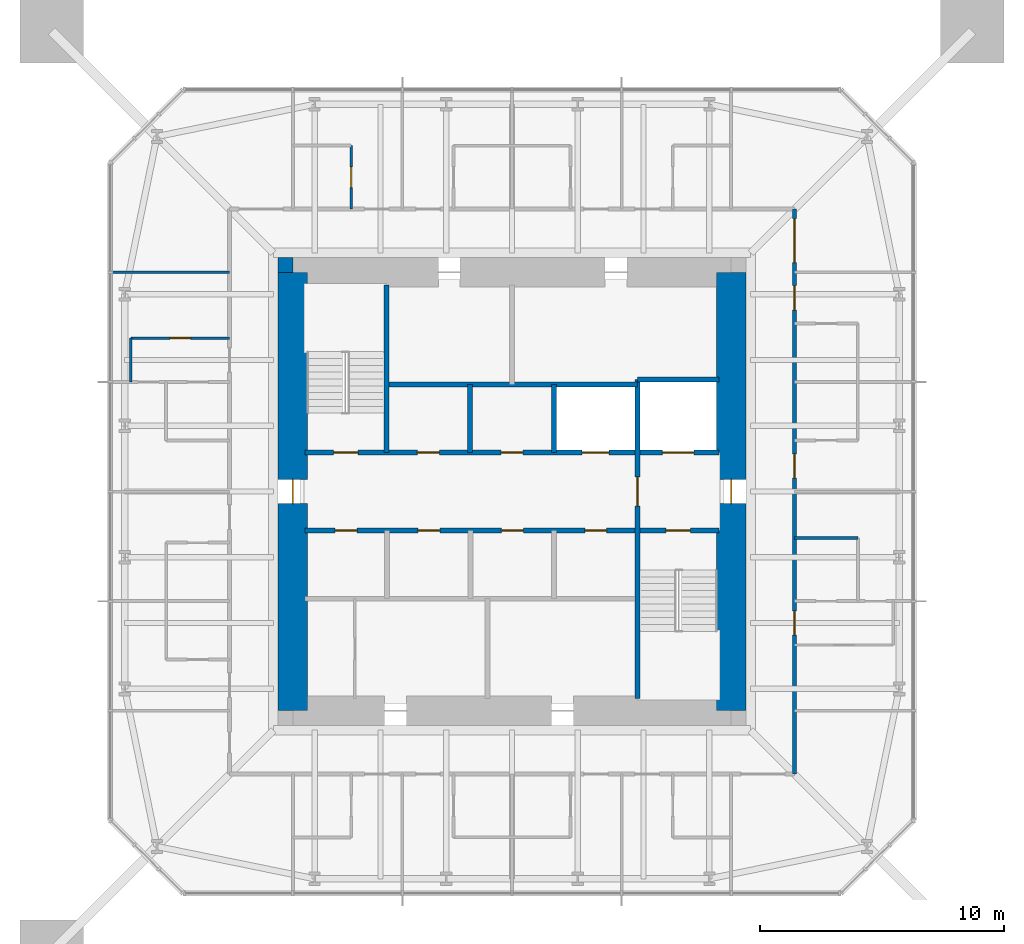
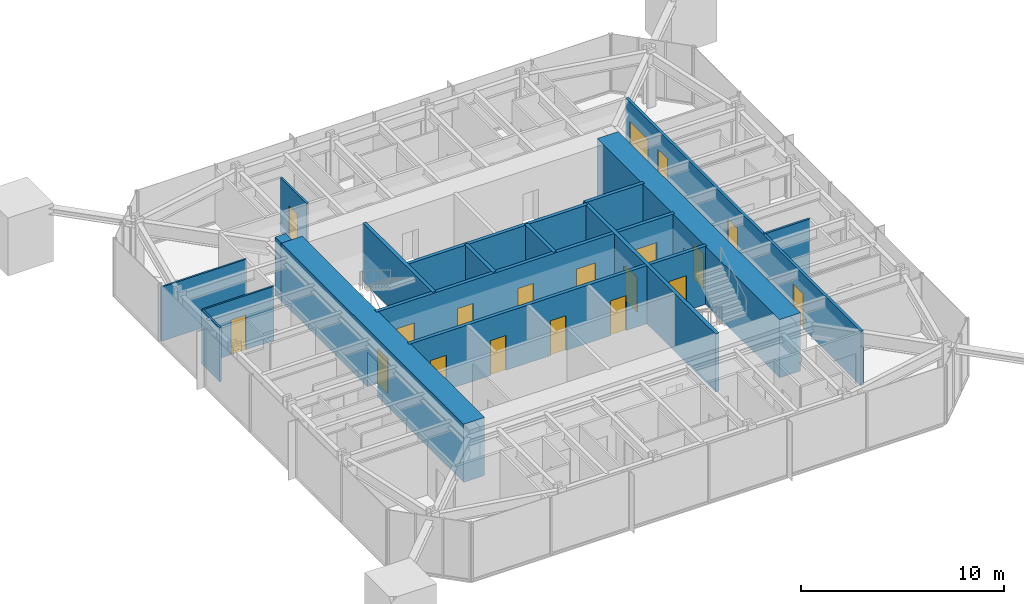
# One storey, part 7 of 10: 19 doors, 17 walls, 19 openings.
"""IFC4 building model written with IfcOpenShell, lengths in metres."""

from ifc_helpers import new_model, si_unit, direction, frame, frame_2d, origin, place, context, subcontext, project, spatial, rectangle, extrude, material, layer, layer_set, type_object, element, fill, save


model = new_model("IFC4")

# Units and contexts
model_context = context("Model", 3, precision=1e-05, world=origin(), true_north=direction((0.0, 1.0)))
body_context = subcontext(model_context, "Body", "Model", "MODEL_VIEW")
ifc_project = project(units=[si_unit("LENGTHUNIT", "METRE"), si_unit("AREAUNIT", "SQUARE_METRE"), si_unit("VOLUMEUNIT", "CUBIC_METRE"), si_unit("PLANEANGLEUNIT", "RADIAN"), si_unit("MASSUNIT", "GRAM", prefix="KILO")], contexts=[model_context])

# Site, building, storey
site_placement = place(None, origin())
site = spatial("IfcSite", under=ifc_project, at=site_placement, CompositionType="ELEMENT")
building_placement = place(site_placement, origin())
building = spatial("IfcBuilding", under=site, at=building_placement, Name="Iwan Alto Co-Living Towers", CompositionType="ELEMENT")
storey_placement = place(building_placement, frame((0.0, 0.0, 225.5)))
storey = spatial("IfcBuildingStorey", under=building, at=storey_placement, Name="L61", CompositionType="ELEMENT", Elevation=225.5)

# Wall, openings, doors
ifc_material_1 = material(Name="Gypsum board")
ifc_layer_1 = layer(ifc_material_1, 0.02490234375, Name="Board", Category="Finish")
ifc_material_2 = material(Name="Steel ASTM A1003 ST33H cold-formed studs", Category="steel")
ifc_layer_2 = layer(ifc_material_2, 0.10009765625, Name="Studs", Category="Framing")
ifc_layer_3 = layer(ifc_material_1, 0.02490234375, Name="Board", Category="Finish")
ifc_layer_set_1 = layer_set([ifc_layer_1, ifc_layer_2, ifc_layer_3], Name="CORRIDOR WALL 150")
wall_type_1 = type_object("IfcWallType", Name="CORRIDOR WALL 150", PredefinedType="PARTITIONING", material=ifc_layer_set_1)
wall_1_placement = place(storey_placement, frame((11.60009765625, -11.60009765625, 0.0), z_axis=(0.0, 0.0, 1.0), x_axis=(0.0, 1.0, 0.0)))
wall_1 = element("IfcWall", 1, at=wall_1_placement, inside=storey, type_object=wall_type_1, Name="Partition L61", PredefinedType="PARTITIONING", context=body_context, shape_type="SweptSolid", body=[
    extrude(rectangle(XDim=23.2001953125, YDim=0.14990234375, at=frame_2d((11.60009765625, 0.0))), origin(), (0.0, 0.0, 1.0), 3.27001953125),
])
opening_1_placement = place(wall_1_placement, frame((5.699951171875, 0.0, 0.0)))
opening_1 = element("IfcOpeningElement", 2, at=opening_1_placement, cuts=wall_1, Name="Opening D3", PredefinedType="OPENING", context=body_context, shape_type="SweptSolid", body=[
    extrude(rectangle(XDim=1.0, YDim=2.10009765625, at=frame_2d((0.5, 1.050048828125))), frame((0.0, 0.0849609375, 0.0), z_axis=(0.0, -1.0, 0.0), x_axis=(1.0, 0.0, 0.0)), (0.0, 0.0, 1.0), 0.169921875),
])
opening_2_placement = place(wall_1_placement, frame((12.14990234375, 0.0, 0.0)))
opening_2 = element("IfcOpeningElement", 3, at=opening_2_placement, cuts=wall_1, Name="Opening D3", PredefinedType="OPENING", context=body_context, shape_type="SweptSolid", body=[
    extrude(rectangle(XDim=1.0, YDim=2.10009765625, at=frame_2d((0.5, 1.050048828125))), frame((0.0, 0.0849609375, 0.0), z_axis=(0.0, -1.0, 0.0), x_axis=(1.0, 0.0, 0.0)), (0.0, 0.0, 1.0), 0.169921875),
])
opening_3_placement = place(wall_1_placement, frame((19.050048828125, 0.0, 0.0)))
opening_3 = element("IfcOpeningElement", 4, at=opening_3_placement, cuts=wall_1, Name="Opening D3", PredefinedType="OPENING", context=body_context, shape_type="SweptSolid", body=[
    extrude(rectangle(XDim=1.0, YDim=2.10009765625, at=frame_2d((0.5, 1.050048828125))), frame((0.0, 0.0849609375, 0.0), z_axis=(0.0, -1.0, 0.0), x_axis=(1.0, 0.0, 0.0)), (0.0, 0.0, 1.0), 0.169921875),
])
opening_4_placement = place(wall_1_placement, frame((21.0, 0.0, 0.0)))
opening_4 = element("IfcOpeningElement", 5, at=opening_4_placement, cuts=wall_1, Name="Opening D9", PredefinedType="OPENING", context=body_context, shape_type="SweptSolid", body=[
    extrude(rectangle(XDim=1.800048828125, YDim=2.10009765625, at=frame_2d((0.89990234375, 1.050048828125))), frame((0.0, 0.0849609375, 0.0), z_axis=(0.0, -1.0, 0.0), x_axis=(1.0, 0.0, 0.0)), (0.0, 0.0, 1.0), 0.169921875),
])
ifc_material_3 = material(Name="Steel frame with timber leaf", Category="steel")
door_type_1 = type_object("IfcDoorType", Name="FLAT ENTRANCE DOOR FD30S 1000X2100", OperationType="SINGLE_SWING_LEFT", PredefinedType="DOOR", material=ifc_material_3)
door_1_placement = place(opening_1_placement, frame((1.0, 0.0, 0.0), z_axis=(0.0, 0.0, 1.0), x_axis=(-1.0, 0.0, 0.0)))
door_1 = element("IfcDoor", 6, at=door_1_placement, inside=storey, type_object=door_type_1, Name="Apartment foyer door L61", OperationType="SINGLE_SWING_RIGHT", OverallHeight=2.10009765625, OverallWidth=1.0, PredefinedType="DOOR", context=body_context, shape_type="SweptSolid", body=[
    extrude(rectangle(XDim=1.0, YDim=2.10009765625, at=frame_2d((0.5, 1.050048828125))), frame((0.0, 0.02490234375, 0.0), z_axis=(0.0, -1.0, 0.0), x_axis=(1.0, 0.0, 0.0)), (0.0, 0.0, 1.0), 0.050048828125),
])
fill(opening_1, door_1)
door_2_placement = place(opening_2_placement, frame((1.0, 0.0, 0.0), z_axis=(0.0, 0.0, 1.0), x_axis=(-1.0, 0.0, 0.0)))
door_2 = element("IfcDoor", 7, at=door_2_placement, inside=storey, type_object=door_type_1, Name="Studio door L61", OperationType="SINGLE_SWING_RIGHT", OverallHeight=2.10009765625, OverallWidth=1.0, PredefinedType="DOOR", context=body_context, shape_type="SweptSolid", body=[
    extrude(rectangle(XDim=1.0, YDim=2.10009765625, at=frame_2d((0.5, 1.050048828125))), frame((0.0, 0.02490234375, 0.0), z_axis=(0.0, -1.0, 0.0), x_axis=(1.0, 0.0, 0.0)), (0.0, 0.0, 1.0), 0.050048828125),
])
fill(opening_2, door_2)
door_3_placement = place(opening_3_placement, frame((1.0, 0.0, 0.0), z_axis=(0.0, 0.0, 1.0), x_axis=(-1.0, 0.0, 0.0)))
door_3 = element("IfcDoor", 8, at=door_3_placement, inside=storey, type_object=door_type_1, Name="Studio door L61", OperationType="SINGLE_SWING_RIGHT", OverallHeight=2.10009765625, OverallWidth=1.0, PredefinedType="DOOR", context=body_context, shape_type="SweptSolid", body=[
    extrude(rectangle(XDim=1.0, YDim=2.10009765625, at=frame_2d((0.5, 1.050048828125))), frame((0.0, 0.02490234375, 0.0), z_axis=(0.0, -1.0, 0.0), x_axis=(1.0, 0.0, 0.0)), (0.0, 0.0, 1.0), 0.050048828125),
])
fill(opening_3, door_3)
ifc_material_4 = material(Name="Steel frame with timber leaf", Category="steel")
door_type_2 = type_object("IfcDoorType", Name="LOUNGE DOOR FD30S 1800X2100", OperationType="DOUBLE_DOOR_SINGLE_SWING", PredefinedType="DOOR", material=ifc_material_4)
door_4_placement = place(opening_4_placement, frame((1.800048828125, 0.0, 0.0), z_axis=(0.0, 0.0, 1.0), x_axis=(-1.0, 0.0, 0.0)))
door_4 = element("IfcDoor", 9, at=door_4_placement, inside=storey, type_object=door_type_2, Name="Study lounge door L61", OperationType="DOUBLE_DOOR_SINGLE_SWING", OverallHeight=2.10009765625, OverallWidth=1.800048828125, PredefinedType="DOOR", context=body_context, shape_type="SweptSolid", body=[
    extrude(rectangle(XDim=1.800048828125, YDim=2.10009765625, at=frame_2d((0.89990234375, 1.050048828125))), frame((0.0, 0.02490234375, 0.0), z_axis=(0.0, -1.0, 0.0), x_axis=(1.0, 0.0, 0.0)), (0.0, 0.0, 1.0), 0.050048828125),
])
fill(opening_4, door_4)

# Wall, opening, door
ifc_layer_4 = layer(ifc_material_1, 0.012451171875, Name="Board", Category="Finish")
ifc_layer_5 = layer(ifc_material_2, 0.074951171875, Name="Studs", Category="Framing")
ifc_layer_6 = layer(ifc_material_1, 0.012451171875, Name="Board", Category="Finish")
ifc_layer_set_2 = layer_set([ifc_layer_4, ifc_layer_5, ifc_layer_6], Name="PARTITION 100")
wall_type_2 = type_object("IfcWallType", Name="PARTITION 100", PredefinedType="PARTITIONING", material=ifc_layer_set_2)
wall_2_placement = place(storey_placement, frame((-15.64990234375, 6.300048828125, 0.0), z_axis=(0.0, 0.0, 1.0), x_axis=(1.0, 0.0, 0.0)))
wall_2 = element("IfcWall", 10, at=wall_2_placement, inside=storey, type_object=wall_type_2, Name="Partition L61", PredefinedType="PARTITIONING", context=body_context, shape_type="SweptSolid", body=[
    extrude(rectangle(XDim=4.0498046875, YDim=0.10009765625, at=frame_2d((2.02490234375, 0.0))), origin(), (0.0, 0.0, 1.0), 3.27001953125),
])
opening_5_placement = place(wall_2_placement, frame((1.60009765625, 0.0, 0.0)))
opening_5 = element("IfcOpeningElement", 11, at=opening_5_placement, cuts=wall_2, Name="Opening D2", PredefinedType="OPENING", context=body_context, shape_type="SweptSolid", body=[
    extrude(rectangle(XDim=0.85009765625, YDim=2.10009765625, at=frame_2d((0.425048828125, 1.050048828125))), frame((0.0, 0.06005859375, 0.0), z_axis=(0.0, -1.0, 0.0), x_axis=(1.0, 0.0, 0.0)), (0.0, 0.0, 1.0), 0.1201171875),
])
ifc_material_5 = material(Name="Timber leaf in steel frame", Category="steel")
door_type_3 = type_object("IfcDoorType", Name="ROOM DOOR 850X2100", OperationType="SINGLE_SWING_LEFT", PredefinedType="DOOR", material=ifc_material_5)
door_5_placement = place(opening_5_placement, origin())
door_5 = element("IfcDoor", 12, at=door_5_placement, inside=storey, type_object=door_type_3, Name="Apartment foyer door L61", OperationType="SINGLE_SWING_RIGHT", OverallHeight=2.10009765625, OverallWidth=0.85009765625, PredefinedType="DOOR", context=body_context, shape_type="SweptSolid", body=[
    extrude(rectangle(XDim=0.85009765625, YDim=2.10009765625, at=frame_2d((0.425048828125, 1.050048828125))), frame((0.0, 0.02490234375, 0.0), z_axis=(0.0, -1.0, 0.0), x_axis=(1.0, 0.0, 0.0)), (0.0, 0.0, 1.0), 0.050048828125),
])
fill(opening_5, door_5)

# Walls
wall_3_placement = place(storey_placement, frame((-16.43994140625, 9.0, 0.0), z_axis=(0.0, 0.0, 1.0), x_axis=(1.0, 0.0, 0.0)))
element("IfcWall", 13, at=wall_3_placement, inside=storey, type_object=wall_type_2, Name="Partition L61", PredefinedType="PARTITIONING", context=body_context, shape_type="SweptSolid", body=[
    extrude(rectangle(XDim=4.83984375, YDim=0.10009765625, at=frame_2d((2.419921875, 0.0))), origin(), (0.0, 0.0, 1.0), 3.27001953125),
])
wall_4_placement = place(storey_placement, frame((-15.64990234375, 4.5, 0.0), z_axis=(0.0, 0.0, 1.0), x_axis=(0.0, 1.0, 0.0)))
element("IfcWall", 14, at=wall_4_placement, inside=storey, type_object=wall_type_2, Name="Partition L61", PredefinedType="PARTITIONING", context=body_context, shape_type="SweptSolid", body=[
    extrude(rectangle(XDim=1.800048828125, YDim=0.10009765625, at=frame_2d((0.89990234375, 0.0))), origin(), (0.0, 0.0, 1.0), 3.27001953125),
])

# Wall, openings, doors
ifc_material_6 = material(Name="Concrete f'c 70 MPa", Category="concrete")
ifc_layer_7 = layer(ifc_material_6, 0.199951171875)
ifc_layer_set_3 = layer_set([ifc_layer_7], Name="SHAFT WALL 200")
wall_type_3 = type_object("IfcWallType", Name="SHAFT WALL 200", PredefinedType="SOLIDWALL", material=ifc_layer_set_3)
wall_5_placement = place(storey_placement, frame((-8.489990234375, -1.60009765625, 0.0), z_axis=(0.0, 0.0, 1.0), x_axis=(1.0, 0.0, 0.0)))
wall_5 = element("IfcWall", 15, at=wall_5_placement, inside=storey, type_object=wall_type_3, Name="Shaft wall L61", PredefinedType="SOLIDWALL", context=body_context, shape_type="SweptSolid", body=[
    extrude(rectangle(XDim=16.97998046875, YDim=0.199951171875, at=frame_2d((8.489990234375, 0.0))), origin(), (0.0, 0.0, 1.0), 3.5),
])
opening_6_placement = place(wall_5_placement, frame((14.81005859375, 0.0, 0.0)))
opening_6 = element("IfcOpeningElement", 16, at=opening_6_placement, cuts=wall_5, Name="Opening D5", PredefinedType="OPENING", context=body_context, shape_type="SweptSolid", body=[
    extrude(rectangle(XDim=1.0, YDim=2.10009765625, at=frame_2d((0.5, 1.050048828125))), frame((0.0, 0.10986328125, 0.0), z_axis=(0.0, -1.0, 0.0), x_axis=(1.0, 0.0, 0.0)), (0.0, 0.0, 1.0), 0.219970703125),
])
opening_7_placement = place(wall_5_placement, frame((1.23193359375, 0.0, 0.0)))
opening_7 = element("IfcOpeningElement", 17, at=opening_7_placement, cuts=wall_5, Name="Opening D15", PredefinedType="OPENING", context=body_context, shape_type="SweptSolid", body=[
    extrude(rectangle(XDim=0.89990234375, YDim=2.10009765625, at=frame_2d((0.449951171875, 1.050048828125))), frame((0.0, 0.10986328125, 0.0), z_axis=(0.0, -1.0, 0.0), x_axis=(1.0, 0.0, 0.0)), (0.0, 0.0, 1.0), 0.219970703125),
])
opening_8_placement = place(wall_5_placement, frame((4.626953125, 0.0, 0.0)))
opening_8 = element("IfcOpeningElement", 18, at=opening_8_placement, cuts=wall_5, Name="Opening D15", PredefinedType="OPENING", context=body_context, shape_type="SweptSolid", body=[
    extrude(rectangle(XDim=0.89990234375, YDim=2.10009765625, at=frame_2d((0.449951171875, 1.050048828125))), frame((0.0, 0.10986328125, 0.0), z_axis=(0.0, -1.0, 0.0), x_axis=(1.0, 0.0, 0.0)), (0.0, 0.0, 1.0), 0.219970703125),
])
opening_9_placement = place(wall_5_placement, frame((8.052001953125, 0.0, 0.0)))
opening_9 = element("IfcOpeningElement", 19, at=opening_9_placement, cuts=wall_5, Name="Opening D15", PredefinedType="OPENING", context=body_context, shape_type="SweptSolid", body=[
    extrude(rectangle(XDim=0.89990234375, YDim=2.10009765625, at=frame_2d((0.449951171875, 1.050048828125))), frame((0.0, 0.10986328125, 0.0), z_axis=(0.0, -1.0, 0.0), x_axis=(1.0, 0.0, 0.0)), (0.0, 0.0, 1.0), 0.219970703125),
])
opening_10_placement = place(wall_5_placement, frame((11.47802734375, 0.0, 0.0)))
opening_10 = element("IfcOpeningElement", 20, at=opening_10_placement, cuts=wall_5, Name="Opening D15", PredefinedType="OPENING", context=body_context, shape_type="SweptSolid", body=[
    extrude(rectangle(XDim=0.89990234375, YDim=2.10009765625, at=frame_2d((0.449951171875, 1.050048828125))), frame((0.0, 0.10986328125, 0.0), z_axis=(0.0, -1.0, 0.0), x_axis=(1.0, 0.0, 0.0)), (0.0, 0.0, 1.0), 0.219970703125),
])
ifc_material_7 = material(Name="Steel frame with timber leaf", Category="steel")
door_type_4 = type_object("IfcDoorType", Name="CORE ROOM DOOR FD60S 900X2100", OperationType="SINGLE_SWING_LEFT", PredefinedType="DOOR", material=ifc_material_7)
door_6_placement = place(opening_7_placement, frame((0.89990234375, 0.0, 0.0), z_axis=(0.0, 0.0, 1.0), x_axis=(-1.0, 0.0, 0.0)))
door_6 = element("IfcDoor", 21, at=door_6_placement, inside=storey, type_object=door_type_4, Name="Guest pantry door L61", OperationType="SINGLE_SWING_LEFT", OverallHeight=2.10009765625, OverallWidth=0.89990234375, PredefinedType="DOOR", context=body_context, shape_type="SweptSolid", body=[
    extrude(rectangle(XDim=0.89990234375, YDim=2.10009765625, at=frame_2d((0.449951171875, 1.050048828125))), frame((0.0, 0.02490234375, 0.0), z_axis=(0.0, -1.0, 0.0), x_axis=(1.0, 0.0, 0.0)), (0.0, 0.0, 1.0), 0.050048828125),
])
fill(opening_7, door_6)
door_7_placement = place(opening_8_placement, frame((0.89990234375, 0.0, 0.0), z_axis=(0.0, 0.0, 1.0), x_axis=(-1.0, 0.0, 0.0)))
door_7 = element("IfcDoor", 22, at=door_7_placement, inside=storey, type_object=door_type_4, Name="Bulk store door L61", OperationType="SINGLE_SWING_RIGHT", OverallHeight=2.10009765625, OverallWidth=0.89990234375, PredefinedType="DOOR", context=body_context, shape_type="SweptSolid", body=[
    extrude(rectangle(XDim=0.89990234375, YDim=2.10009765625, at=frame_2d((0.449951171875, 1.050048828125))), frame((0.0, 0.02490234375, 0.0), z_axis=(0.0, -1.0, 0.0), x_axis=(1.0, 0.0, 0.0)), (0.0, 0.0, 1.0), 0.050048828125),
])
fill(opening_8, door_7)
door_8_placement = place(opening_9_placement, frame((0.89990234375, 0.0, 0.0), z_axis=(0.0, 0.0, 1.0), x_axis=(-1.0, 0.0, 0.0)))
door_8 = element("IfcDoor", 23, at=door_8_placement, inside=storey, type_object=door_type_4, Name="Bulk store door L61", OperationType="SINGLE_SWING_RIGHT", OverallHeight=2.10009765625, OverallWidth=0.89990234375, PredefinedType="DOOR", context=body_context, shape_type="SweptSolid", body=[
    extrude(rectangle(XDim=0.89990234375, YDim=2.10009765625, at=frame_2d((0.449951171875, 1.050048828125))), frame((0.0, 0.02490234375, 0.0), z_axis=(0.0, -1.0, 0.0), x_axis=(1.0, 0.0, 0.0)), (0.0, 0.0, 1.0), 0.050048828125),
])
fill(opening_9, door_8)
door_9_placement = place(opening_10_placement, frame((0.89990234375, 0.0, 0.0), z_axis=(0.0, 0.0, 1.0), x_axis=(-1.0, 0.0, 0.0)))
door_9 = element("IfcDoor", 24, at=door_9_placement, inside=storey, type_object=door_type_4, Name="Staff WC door L61", OperationType="SINGLE_SWING_RIGHT", OverallHeight=2.10009765625, OverallWidth=0.89990234375, PredefinedType="DOOR", context=body_context, shape_type="SweptSolid", body=[
    extrude(rectangle(XDim=0.89990234375, YDim=2.10009765625, at=frame_2d((0.449951171875, 1.050048828125))), frame((0.0, 0.02490234375, 0.0), z_axis=(0.0, -1.0, 0.0), x_axis=(1.0, 0.0, 0.0)), (0.0, 0.0, 1.0), 0.050048828125),
])
fill(opening_10, door_9)
ifc_material_8 = material(Name="Steel frame with timber leaf", Category="steel")
door_type_5 = type_object("IfcDoorType", Name="STAIR DOOR FD120S 1000X2100", OperationType="SINGLE_SWING_LEFT", PredefinedType="DOOR", material=ifc_material_8)
door_10_placement = place(opening_6_placement, frame((1.0, 0.0, 0.0), z_axis=(0.0, 0.0, 1.0), x_axis=(-1.0, 0.0, 0.0)))
door_10 = element("IfcDoor", 25, at=door_10_placement, inside=storey, type_object=door_type_5, Name="Stair S2 door L61", OperationType="SINGLE_SWING_RIGHT", OverallHeight=2.10009765625, OverallWidth=1.0, PredefinedType="DOOR", context=body_context, shape_type="SweptSolid", body=[
    extrude(rectangle(XDim=1.0, YDim=2.10009765625, at=frame_2d((0.5, 1.050048828125))), frame((0.0, 0.02490234375, 0.0), z_axis=(0.0, -1.0, 0.0), x_axis=(1.0, 0.0, 0.0)), (0.0, 0.0, 1.0), 0.050048828125),
])
fill(opening_6, door_10)

wall_6_placement = place(storey_placement, frame((-8.489990234375, 1.60009765625, 0.0), z_axis=(0.0, 0.0, 1.0), x_axis=(1.0, 0.0, 0.0)))
wall_6 = element("IfcWall", 26, at=wall_6_placement, inside=storey, type_object=wall_type_3, Name="Shaft wall L61", PredefinedType="SOLIDWALL", context=body_context, shape_type="SweptSolid", body=[
    extrude(rectangle(XDim=16.97998046875, YDim=0.199951171875, at=frame_2d((8.489990234375, 0.0))), origin(), (0.0, 0.0, 1.0), 3.5),
])
opening_11_placement = place(wall_6_placement, frame((1.169921875, 0.0, 0.0)))
opening_11 = element("IfcOpeningElement", 27, at=opening_11_placement, cuts=wall_6, Name="Opening D5", PredefinedType="OPENING", context=body_context, shape_type="SweptSolid", body=[
    extrude(rectangle(XDim=1.0, YDim=2.10009765625, at=frame_2d((0.5, 1.050048828125))), frame((0.0, 0.10986328125, 0.0), z_axis=(0.0, -1.0, 0.0), x_axis=(1.0, 0.0, 0.0)), (0.0, 0.0, 1.0), 0.219970703125),
])
opening_12_placement = place(wall_6_placement, frame((4.60595703125, 0.0, 0.0)))
opening_12 = element("IfcOpeningElement", 28, at=opening_12_placement, cuts=wall_6, Name="Opening D15", PredefinedType="OPENING", context=body_context, shape_type="SweptSolid", body=[
    extrude(rectangle(XDim=0.89990234375, YDim=2.10009765625, at=frame_2d((0.449951171875, 1.050048828125))), frame((0.0, 0.10986328125, 0.0), z_axis=(0.0, -1.0, 0.0), x_axis=(1.0, 0.0, 0.0)), (0.0, 0.0, 1.0), 0.219970703125),
])
opening_13_placement = place(wall_6_placement, frame((8.0400390625, 0.0, 0.0)))
opening_13 = element("IfcOpeningElement", 29, at=opening_13_placement, cuts=wall_6, Name="Opening D15", PredefinedType="OPENING", context=body_context, shape_type="SweptSolid", body=[
    extrude(rectangle(XDim=0.89990234375, YDim=2.10009765625, at=frame_2d((0.449951171875, 1.050048828125))), frame((0.0, 0.10986328125, 0.0), z_axis=(0.0, -1.0, 0.0), x_axis=(1.0, 0.0, 0.0)), (0.0, 0.0, 1.0), 0.219970703125),
])
opening_14_placement = place(wall_6_placement, frame((11.3740234375, 0.0, 0.0)))
opening_14 = element("IfcOpeningElement", 30, at=opening_14_placement, cuts=wall_6, Name="Opening LD", PredefinedType="OPENING", context=body_context, shape_type="SweptSolid", body=[
    extrude(rectangle(XDim=1.10009765625, YDim=2.10009765625, at=frame_2d((0.550048828125, 1.050048828125))), frame((0.0, 0.10986328125, 0.0), z_axis=(0.0, -1.0, 0.0), x_axis=(1.0, 0.0, 0.0)), (0.0, 0.0, 1.0), 0.219970703125),
])
opening_15_placement = place(wall_6_placement, frame((14.659912109375, 0.0, 0.0)))
opening_15 = element("IfcOpeningElement", 31, at=opening_15_placement, cuts=wall_6, Name="Opening LD2", PredefinedType="OPENING", context=body_context, shape_type="SweptSolid", body=[
    extrude(rectangle(XDim=1.300048828125, YDim=2.10009765625, at=frame_2d((0.64990234375, 1.050048828125))), frame((0.0, 0.10986328125, 0.0), z_axis=(0.0, -1.0, 0.0), x_axis=(1.0, 0.0, 0.0)), (0.0, 0.0, 1.0), 0.219970703125),
])
door_11_placement = place(opening_12_placement, origin())
door_11 = element("IfcDoor", 32, at=door_11_placement, inside=storey, type_object=door_type_4, Name="Vending and ice room door L61", OperationType="SINGLE_SWING_LEFT", OverallHeight=2.10009765625, OverallWidth=0.89990234375, PredefinedType="DOOR", context=body_context, shape_type="SweptSolid", body=[
    extrude(rectangle(XDim=0.89990234375, YDim=2.10009765625, at=frame_2d((0.449951171875, 1.050048828125))), frame((0.0, 0.02490234375, 0.0), z_axis=(0.0, -1.0, 0.0), x_axis=(1.0, 0.0, 0.0)), (0.0, 0.0, 1.0), 0.050048828125),
])
fill(opening_12, door_11)
door_12_placement = place(opening_13_placement, origin())
door_12 = element("IfcDoor", 33, at=door_12_placement, inside=storey, type_object=door_type_4, Name="Cleaner's store door L61", OperationType="SINGLE_SWING_LEFT", OverallHeight=2.10009765625, OverallWidth=0.89990234375, PredefinedType="DOOR", context=body_context, shape_type="SweptSolid", body=[
    extrude(rectangle(XDim=0.89990234375, YDim=2.10009765625, at=frame_2d((0.449951171875, 1.050048828125))), frame((0.0, 0.02490234375, 0.0), z_axis=(0.0, -1.0, 0.0), x_axis=(1.0, 0.0, 0.0)), (0.0, 0.0, 1.0), 0.050048828125),
])
fill(opening_13, door_12)
ifc_material_9 = material(Name="Steel frame with timber leaf", Category="steel")
door_type_6 = type_object("IfcDoorType", Name="LIFT LANDING DOOR 1100X2100", OperationType="DOUBLE_DOOR_SLIDING", PredefinedType="DOOR", material=ifc_material_9)
door_13_placement = place(opening_14_placement, origin())
door_13 = element("IfcDoor", 34, at=door_13_placement, inside=storey, type_object=door_type_6, Name="Lift P4-3 landing door L61", OperationType="DOUBLE_DOOR_SLIDING", OverallHeight=2.10009765625, OverallWidth=1.10009765625, PredefinedType="DOOR", context=body_context, shape_type="SweptSolid", body=[
    extrude(rectangle(XDim=1.10009765625, YDim=2.10009765625, at=frame_2d((0.550048828125, 1.050048828125))), frame((0.0, 0.02490234375, 0.0), z_axis=(0.0, -1.0, 0.0), x_axis=(1.0, 0.0, 0.0)), (0.0, 0.0, 1.0), 0.050048828125),
])
fill(opening_14, door_13)
ifc_material_10 = material(Name="Steel frame with timber leaf", Category="steel")
door_type_7 = type_object("IfcDoorType", Name="LIFT LANDING DOOR 1300X2100", OperationType="SLIDING_TO_LEFT", PredefinedType="DOOR", material=ifc_material_10)
door_14_placement = place(opening_15_placement, origin())
door_14 = element("IfcDoor", 35, at=door_14_placement, inside=storey, type_object=door_type_7, Name="Lift FL1 landing door L61", OperationType="SLIDING_TO_LEFT", OverallHeight=2.10009765625, OverallWidth=1.300048828125, PredefinedType="DOOR", context=body_context, shape_type="SweptSolid", body=[
    extrude(rectangle(XDim=1.300048828125, YDim=2.10009765625, at=frame_2d((0.64990234375, 1.050048828125))), frame((0.0, 0.02490234375, 0.0), z_axis=(0.0, -1.0, 0.0), x_axis=(1.0, 0.0, 0.0)), (0.0, 0.0, 1.0), 0.050048828125),
])
fill(opening_15, door_14)
door_15_placement = place(opening_11_placement, origin())
door_15 = element("IfcDoor", 36, at=door_15_placement, inside=storey, type_object=door_type_5, Name="Stair S1 door L61", OperationType="SINGLE_SWING_RIGHT", OverallHeight=2.10009765625, OverallWidth=1.0, PredefinedType="DOOR", context=body_context, shape_type="SweptSolid", body=[
    extrude(rectangle(XDim=1.0, YDim=2.10009765625, at=frame_2d((0.5, 1.050048828125))), frame((0.0, 0.02490234375, 0.0), z_axis=(0.0, -1.0, 0.0), x_axis=(1.0, 0.0, 0.0)), (0.0, 0.0, 1.0), 0.050048828125),
])
fill(opening_11, door_15)

# Walls
wall_7_placement = place(storey_placement, frame((-5.14990234375, 4.39990234375, 0.0), z_axis=(0.0, 0.0, 1.0), x_axis=(1.0, 0.0, 0.0)))
element("IfcWall", 37, at=wall_7_placement, inside=storey, type_object=wall_type_3, Name="Shaft wall L61", PredefinedType="SOLIDWALL", context=body_context, shape_type="SweptSolid", body=[
    extrude(rectangle(XDim=10.2998046875, YDim=0.199951171875, at=frame_2d((5.14990234375, 0.0))), origin(), (0.0, 0.0, 1.0), 3.5),
])
wall_8_placement = place(storey_placement, frame((5.14990234375, 4.60009765625, 0.0), z_axis=(0.0, 0.0, 1.0), x_axis=(1.0, 0.0, 0.0)))
element("IfcWall", 38, at=wall_8_placement, inside=storey, type_object=wall_type_3, Name="Shaft wall L61", PredefinedType="SOLIDWALL", context=body_context, shape_type="SweptSolid", body=[
    extrude(rectangle(XDim=3.340087890625, YDim=0.199951171875, at=frame_2d((1.669921875, 0.0))), origin(), (0.0, 0.0, 1.0), 3.5),
])

# Wall, opening, door
wall_9_placement = place(storey_placement, frame((5.14990234375, -8.489990234375, 0.0), z_axis=(0.0, 0.0, 1.0), x_axis=(0.0, 1.0, 0.0)))
wall_9 = element("IfcWall", 39, at=wall_9_placement, inside=storey, type_object=wall_type_3, Name="Shaft wall L61", PredefinedType="SOLIDWALL", context=body_context, shape_type="SweptSolid", body=[
    extrude(rectangle(XDim=13.090087890625, YDim=0.199951171875, at=frame_2d((6.544921875, 0.0))), origin(), (0.0, 0.0, 1.0), 3.5),
])
opening_16_placement = place(wall_9_placement, frame((7.889892578125, 0.0, 0.0)))
opening_16 = element("IfcOpeningElement", 40, at=opening_16_placement, cuts=wall_9, Name="Opening D6", PredefinedType="OPENING", context=body_context, shape_type="SweptSolid", body=[
    extrude(rectangle(XDim=1.199951171875, YDim=2.10009765625, at=frame_2d((0.60009765625, 1.050048828125))), frame((0.0, 0.10986328125, 0.0), z_axis=(0.0, -1.0, 0.0), x_axis=(1.0, 0.0, 0.0)), (0.0, 0.0, 1.0), 0.219970703125),
])
ifc_material_11 = material(Name="Steel frame with timber leaf", Category="steel")
door_type_8 = type_object("IfcDoorType", Name="LOBBY DOOR FD120S 1200X2100", OperationType="SINGLE_SWING_LEFT", PredefinedType="DOOR", material=ifc_material_11)
door_16_placement = place(opening_16_placement, frame((1.199951171875, 0.0, 0.0), z_axis=(0.0, 0.0, 1.0), x_axis=(-1.0, 0.0, 0.0)))
door_16 = element("IfcDoor", 41, at=door_16_placement, inside=storey, type_object=door_type_8, Name="Firefighting lobby door L61", OperationType="SINGLE_SWING_RIGHT", OverallHeight=2.10009765625, OverallWidth=1.199951171875, PredefinedType="DOOR", context=body_context, shape_type="SweptSolid", body=[
    extrude(rectangle(XDim=1.199951171875, YDim=2.10009765625, at=frame_2d((0.60009765625, 1.050048828125))), frame((0.0, 0.02490234375, 0.0), z_axis=(0.0, -1.0, 0.0), x_axis=(1.0, 0.0, 0.0)), (0.0, 0.0, 1.0), 0.050048828125),
])
fill(opening_16, door_16)

# Walls
for number, where, z_axis, x_axis, name in (
    (42, (1.717041015625, 1.60009765625, 0.0), (0.0, 0.0, 1.0), (0.0, 1.0, 0.0), "Shaft wall L61"),
    (43, (-1.717041015625, 1.60009765625, 0.0), (0.0, 0.0, 1.0), (0.0, 1.0, 0.0), "Shaft wall L61"),
):
    element("IfcWall", number, at=place(storey_placement, frame(where, z_axis=z_axis, x_axis=x_axis)), inside=storey, type_object=wall_type_3, Name=name, PredefinedType="SOLIDWALL", context=body_context, shape_type="SweptSolid", body=[
        extrude(rectangle(XDim=2.7998046875, YDim=0.199951171875, at=frame_2d((1.39990234375, 0.0))), origin(), (0.0, 0.0, 1.0), 3.5),
    ])
wall_10_placement = place(storey_placement, frame((-5.14990234375, 1.60009765625, 0.0), z_axis=(0.0, 0.0, 1.0), x_axis=(0.0, 1.0, 0.0)))
element("IfcWall", 44, at=wall_10_placement, inside=storey, type_object=wall_type_3, Name="Shaft wall L61", PredefinedType="SOLIDWALL", context=body_context, shape_type="SweptSolid", body=[
    extrude(rectangle(XDim=6.889892578125, YDim=0.199951171875, at=frame_2d((3.44482421875, 0.0))), origin(), (0.0, 0.0, 1.0), 3.5),
])
ifc_material_12 = material(Name="Concrete f'c 70 MPa", Category="concrete")
ifc_layer_8 = layer(ifc_material_12, 0.60009765625)
ifc_layer_set_4 = layer_set([ifc_layer_8], Name="T1 CORE CORNER FILL 600")
wall_type_4 = type_object("IfcWallType", Name="T1 CORE CORNER FILL 600", PredefinedType="SOLIDWALL", material=ifc_layer_set_4)
wall_11_placement = place(storey_placement, frame((-9.60009765625, 9.300048828125, 0.0), z_axis=(0.0, 0.0, 1.0), x_axis=(1.0, 0.0, 0.0)))
element("IfcWall", 45, at=wall_11_placement, inside=storey, type_object=wall_type_4, Name="T1 core corner NW L61", PredefinedType="SOLIDWALL", context=body_context, shape_type="SweptSolid", body=[
    extrude(rectangle(XDim=0.60009765625, YDim=0.60009765625, at=frame_2d((0.300048828125, 0.0))), origin(), (0.0, 0.0, 1.0), 3.5),
])

# Wall, opening, door
ifc_material_13 = material(Name="Concrete f'c 70 MPa", Category="concrete")
ifc_layer_9 = layer(ifc_material_13, 1.199951171875)
ifc_layer_set_5 = layer_set([ifc_layer_9], Name="T1 CORE WALL 1200")
wall_type_5 = type_object("IfcWallType", Name="T1 CORE WALL 1200", PredefinedType="SHEAR", material=ifc_layer_set_5)
wall_12_placement = place(storey_placement, frame((9.0, -9.0, 0.0), z_axis=(0.0, 0.0, 1.0), x_axis=(0.0, 1.0, 0.0)))
wall_12 = element("IfcWall", 46, at=wall_12_placement, inside=storey, type_object=wall_type_5, Name="T1 core wall E L61", PredefinedType="SHEAR", context=body_context, shape_type="SweptSolid", body=[
    extrude(rectangle(XDim=18.0, YDim=1.199951171875, at=frame_2d((9.0, 0.0))), origin(), (0.0, 0.0, 1.0), 3.5),
])
opening_17_placement = place(wall_12_placement, frame((8.5, 0.0, 0.0)))
opening_17 = element("IfcOpeningElement", 47, at=opening_17_placement, cuts=wall_12, Name="Opening D7", PredefinedType="OPENING", context=body_context, shape_type="SweptSolid", body=[
    extrude(rectangle(XDim=1.0, YDim=2.10009765625, at=frame_2d((0.5, 1.050048828125))), frame((0.0, 0.60986328125, 0.0), z_axis=(0.0, -1.0, 0.0), x_axis=(1.0, 0.0, 0.0)), (0.0, 0.0, 1.0), 1.219970703125),
])
ifc_material_14 = material(Name="Steel frame with timber leaf", Category="steel")
door_type_9 = type_object("IfcDoorType", Name="CORE DOOR FD120S 1000X2100", OperationType="SINGLE_SWING_LEFT", PredefinedType="DOOR", material=ifc_material_14)
door_17_placement = place(opening_17_placement, origin())
door_17 = element("IfcDoor", 48, at=door_17_placement, inside=storey, type_object=door_type_9, Name="Firefighting lobby core door L61", OperationType="SINGLE_SWING_LEFT", OverallHeight=2.10009765625, OverallWidth=1.0, PredefinedType="DOOR", context=body_context, shape_type="SweptSolid", body=[
    extrude(rectangle(XDim=1.0, YDim=2.10009765625, at=frame_2d((0.5, 1.050048828125))), frame((0.0, 0.02490234375, 0.0), z_axis=(0.0, -1.0, 0.0), x_axis=(1.0, 0.0, 0.0)), (0.0, 0.0, 1.0), 0.050048828125),
])
fill(opening_17, door_17)

wall_13_placement = place(storey_placement, frame((-9.0, 9.0, 0.0), z_axis=(0.0, 0.0, 1.0), x_axis=(0.0, -1.0, 0.0)))
wall_13 = element("IfcWall", 49, at=wall_13_placement, inside=storey, type_object=wall_type_5, Name="T1 core wall W L61", PredefinedType="SHEAR", context=body_context, shape_type="SweptSolid", body=[
    extrude(rectangle(XDim=18.0, YDim=1.199951171875, at=frame_2d((9.0, 0.0))), origin(), (0.0, 0.0, 1.0), 3.5),
])
opening_18_placement = place(wall_13_placement, frame((8.5, 0.0, 0.0)))
opening_18 = element("IfcOpeningElement", 50, at=opening_18_placement, cuts=wall_13, Name="Opening D7", PredefinedType="OPENING", context=body_context, shape_type="SweptSolid", body=[
    extrude(rectangle(XDim=1.0, YDim=2.10009765625, at=frame_2d((0.5, 1.050048828125))), frame((0.0, 0.60986328125, 0.0), z_axis=(0.0, -1.0, 0.0), x_axis=(1.0, 0.0, 0.0)), (0.0, 0.0, 1.0), 1.219970703125),
])
door_18_placement = place(opening_18_placement, origin())
door_18 = element("IfcDoor", 51, at=door_18_placement, inside=storey, type_object=door_type_9, Name="Lift lobby core door L61", OperationType="SINGLE_SWING_RIGHT", OverallHeight=2.10009765625, OverallWidth=1.0, PredefinedType="DOOR", context=body_context, shape_type="SweptSolid", body=[
    extrude(rectangle(XDim=1.0, YDim=2.10009765625, at=frame_2d((0.5, 1.050048828125))), frame((0.0, 0.02490234375, 0.0), z_axis=(0.0, -1.0, 0.0), x_axis=(1.0, 0.0, 0.0)), (0.0, 0.0, 1.0), 0.050048828125),
])
fill(opening_18, door_18)

# Wall
ifc_material_15 = material(Name="Cement board")
ifc_layer_10 = layer(ifc_material_15, 0.012451171875, Name="Board", Category="Finish")
ifc_layer_11 = layer(ifc_material_2, 0.094970703125, Name="Studs", Category="Framing")
ifc_layer_12 = layer(ifc_material_15, 0.012451171875, Name="Board", Category="Finish")
ifc_layer_set_6 = layer_set([ifc_layer_10, ifc_layer_11, ifc_layer_12], Name="WET AREA PARTITION 120")
wall_type_6 = type_object("IfcWallType", Name="WET AREA PARTITION 120", PredefinedType="PARTITIONING", material=ifc_layer_set_6)
wall_14_placement = place(storey_placement, frame((11.60009765625, -1.89990234375, 0.0), z_axis=(0.0, 0.0, 1.0), x_axis=(1.0, 0.0, 0.0)))
element("IfcWall", 52, at=wall_14_placement, inside=storey, type_object=wall_type_6, Name="Partition L61", PredefinedType="PARTITIONING", context=body_context, shape_type="SweptSolid", body=[
    extrude(rectangle(XDim=2.599853515625, YDim=0.1201171875, at=frame_2d((1.2998046875, 0.0))), origin(), (0.0, 0.0, 1.0), 3.27001953125),
])

# Wall, opening, door
wall_15_placement = place(storey_placement, frame((-6.60009765625, 11.60009765625, 0.0), z_axis=(0.0, 0.0, 1.0), x_axis=(0.0, 1.0, 0.0)))
wall_15 = element("IfcWall", 53, at=wall_15_placement, inside=storey, type_object=wall_type_6, Name="Partition L61", PredefinedType="PARTITIONING", context=body_context, shape_type="SweptSolid", body=[
    extrude(rectangle(XDim=2.599853515625, YDim=0.1201171875, at=frame_2d((1.2998046875, 0.0))), origin(), (0.0, 0.0, 1.0), 3.27001953125),
])
opening_19_placement = place(wall_15_placement, frame((0.875, 0.0, 0.0)))
opening_19 = element("IfcOpeningElement", 54, at=opening_19_placement, cuts=wall_15, Name="Opening D2", PredefinedType="OPENING", context=body_context, shape_type="SweptSolid", body=[
    extrude(rectangle(XDim=0.85009765625, YDim=2.10009765625, at=frame_2d((0.425048828125, 1.050048828125))), frame((0.0, 0.070068359375, 0.0), z_axis=(0.0, -1.0, 0.0), x_axis=(1.0, 0.0, 0.0)), (0.0, 0.0, 1.0), 0.14013671875),
])
door_19_placement = place(opening_19_placement, frame((0.85009765625, 0.0, 0.0), z_axis=(0.0, 0.0, 1.0), x_axis=(-1.0, 0.0, 0.0)))
door_19 = element("IfcDoor", 55, at=door_19_placement, inside=storey, type_object=door_type_3, Name="En-suite shower room door L61", OperationType="SINGLE_SWING_RIGHT", OverallHeight=2.10009765625, OverallWidth=0.85009765625, PredefinedType="DOOR", context=body_context, shape_type="SweptSolid", body=[
    extrude(rectangle(XDim=0.85009765625, YDim=2.10009765625, at=frame_2d((0.425048828125, 1.050048828125))), frame((0.0, 0.02490234375, 0.0), z_axis=(0.0, -1.0, 0.0), x_axis=(1.0, 0.0, 0.0)), (0.0, 0.0, 1.0), 0.050048828125),
])
fill(opening_19, door_19)

save(model, "model.ifc")
